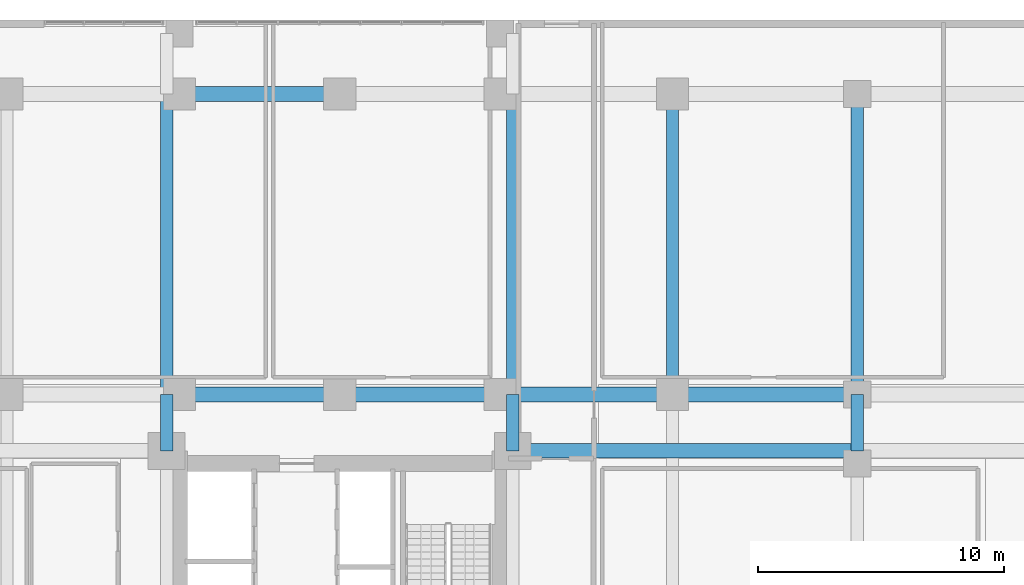
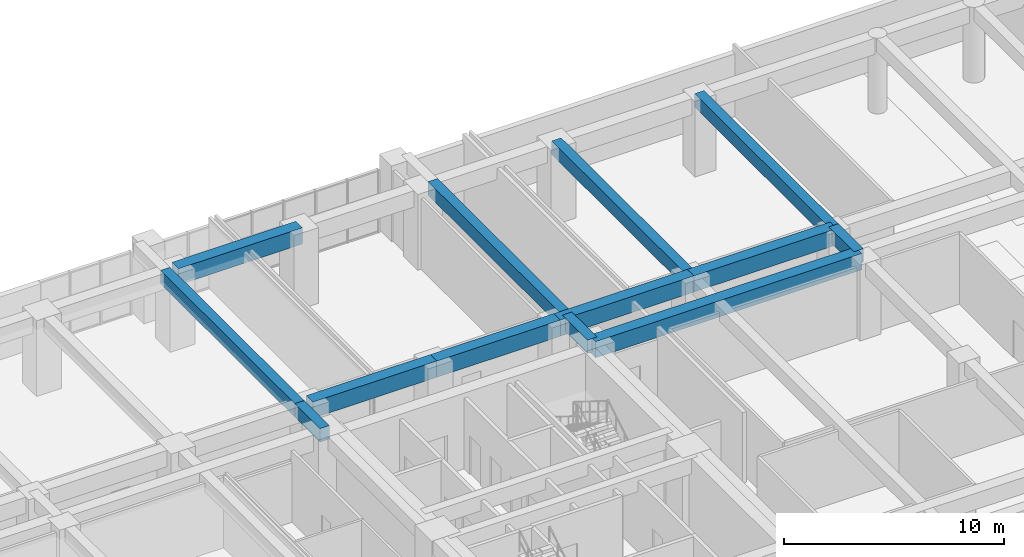
# One storey, part 9 of 24: 13 beams.
"""IFC4 building model written with IfcOpenShell, lengths in metres."""

from ifc_helpers import new_model, si_unit, direction, frame, origin, origin_2d, place, context, subcontext, project, spatial, rectangle, extrude, source, transform, mapped, material, material_profile, profile_set, type_object, element, save


model = new_model("IFC4")

# Units and contexts
model_context = context("Model", 3, precision=1e-05, world=origin(), true_north=direction((0.0, 1.0)))
body_context = subcontext(model_context, "Body", "Model", "MODEL_VIEW")
ifc_project = project(units=[si_unit("LENGTHUNIT", "METRE"), si_unit("AREAUNIT", "SQUARE_METRE"), si_unit("VOLUMEUNIT", "CUBIC_METRE"), si_unit("PLANEANGLEUNIT", "RADIAN"), si_unit("MASSUNIT", "GRAM", prefix="KILO")], contexts=[model_context])

# Site, building, storey
site_placement = place(None, origin())
site = spatial("IfcSite", under=ifc_project, at=site_placement, CompositionType="ELEMENT")
building_placement = place(site_placement, origin())
building = spatial("IfcBuilding", under=site, at=building_placement, Name="Saelheon Loggia Tower", CompositionType="ELEMENT")
storey_placement = place(building_placement, origin())
storey = spatial("IfcBuildingStorey", under=building, at=storey_placement, Name="L00", CompositionType="ELEMENT", Elevation=0.0)

# Beams
ifc_material_1 = material(Name="Concrete C50/60", Category="concrete")
ifc_material_profile_1 = material_profile(ifc_material_1, rectangle(XDim=0.60009765625, YDim=0.89990234375, at=origin_2d()), Name="RC-600x900")
ifc_profile_set_1 = profile_set([ifc_material_profile_1], Name="Concrete C50/60")
beam_type_1 = type_object("IfcBeamType", Name="Beam_MainGirder_RC600x900", PredefinedType="BEAM", material=ifc_profile_set_1)
shared_shape_1 = source(origin(), body_context, "Body", "SweptSolid", [
    extrude(rectangle(XDim=0.60009765625, YDim=0.89990234375, at=origin_2d()), origin(), (0.0, 0.0, 1.0), 7.5),
])
beam_1_placement = place(storey_placement, frame((51.5, 38.800048828125, 3.75), z_axis=(1.0, 0.0, 0.0), x_axis=(0.0, 1.0, 0.0)))
element("IfcBeam", 1, at=beam_1_placement, inside=storey, type_object=beam_type_1, Name="BM-L00-EW-38-7", PredefinedType="BEAM", context=body_context, shape_type="MappedRepresentation", body=[
    mapped(shared_shape_1, transform((0.0, 0.0, 0.0), scale=1.0)),
])
shared_shape_2 = source(origin(), body_context, "Body", "SweptSolid", [
    extrude(rectangle(XDim=0.60009765625, YDim=0.89990234375, at=origin_2d()), origin(), (0.0, 0.0, 1.0), 7.0),
])
beam_2_placement = place(storey_placement, frame((44.5, 38.800048828125, 3.75), z_axis=(1.0, 0.0, 0.0), x_axis=(0.0, 1.0, 0.0)))
element("IfcBeam", 2, at=beam_2_placement, inside=storey, type_object=beam_type_1, Name="BM-L00-EW-38-6", PredefinedType="BEAM", context=body_context, shape_type="MappedRepresentation", body=[
    mapped(shared_shape_2, transform((0.0, 0.0, 0.0), scale=1.0)),
])
shared_shape_3 = source(origin(), body_context, "Body", "SweptSolid", [
    extrude(rectangle(XDim=0.60009765625, YDim=0.89990234375, at=origin_2d()), origin(), (0.0, 0.0, 1.0), 6.5),
])
for number, where, z_axis, x_axis, name in (
    (3, (31.5, 38.800048828125, 3.75), (1.0, 0.0, 0.0), (0.0, 1.0, 0.0), "BM-L00-EW-38-4"),
    (4, (38.0, 38.800048828125, 3.75), (1.0, 0.0, 0.0), (0.0, 1.0, 0.0), "BM-L00-EW-38-5"),
    (5, (31.5, 51.0, 3.75), (1.0, 0.0, 0.0), (0.0, 1.0, 0.0), "BM-L00-EW-51-5"),
):
    element("IfcBeam", number, at=place(storey_placement, frame(where, z_axis=z_axis, x_axis=x_axis)), inside=storey, type_object=beam_type_1, Name=name, PredefinedType="BEAM", context=body_context, shape_type="MappedRepresentation", body=[
        mapped(shared_shape_3, transform((0.0, 0.0, 0.0), scale=1.0)),
    ])
shared_shape_4 = source(origin(), body_context, "Body", "SweptSolid", [
    extrude(rectangle(XDim=0.60009765625, YDim=0.89990234375, at=origin_2d()), origin(), (0.0, 0.0, 1.0), 13.97998046875),
])
beam_3_placement = place(storey_placement, frame((45.02001953125, 36.52001953125, 3.75), z_axis=(1.0, 0.0, 0.0), x_axis=(0.0, 1.0, 0.0)))
element("IfcBeam", 6, at=beam_3_placement, inside=storey, type_object=beam_type_1, Name="BM-L00-CT-36-E2", PredefinedType="BEAM", context=body_context, shape_type="MappedRepresentation", body=[
    mapped(shared_shape_4, transform((0.0, 0.0, 0.0), scale=1.0)),
])
ifc_material_2 = material(Name="Concrete C45/55", Category="concrete")
ifc_material_profile_2 = material_profile(ifc_material_2, rectangle(XDim=0.5, YDim=0.75, at=origin_2d()), Name="RC-500x750")
ifc_profile_set_2 = profile_set([ifc_material_profile_2], Name="Concrete C45/55")
beam_type_2 = type_object("IfcBeamType", Name="Beam_FloorGirder_RC500x750", PredefinedType="BEAM", material=ifc_profile_set_2)
shared_shape_5 = source(origin(), body_context, "Body", "SweptSolid", [
    extrude(rectangle(XDim=0.5, YDim=0.75, at=origin_2d()), origin(), (0.0, 0.0, 1.0), 12.199951171875),
])
for number, where, z_axis, x_axis, name in (
    (7, (30.97998046875, 38.800048828125, 3.824951171875), (0.0, 1.0, 0.0), (-1.0, 0.0, 0.0), "BM-L00-NS-30-6"),
    (8, (45.02001953125, 38.800048828125, 3.824951171875), (0.0, 1.0, 0.0), (-1.0, 0.0, 0.0), "BM-L00-NS-45-6"),
    (9, (51.5, 38.800048828125, 3.824951171875), (0.0, 1.0, 0.0), (-1.0, 0.0, 0.0), "BM-L00-NS-51-3"),
    (10, (59.0, 38.800048828125, 3.824951171875), (0.0, 1.0, 0.0), (-1.0, 0.0, 0.0), "BM-L00-NS-59-6"),
):
    element("IfcBeam", number, at=place(storey_placement, frame(where, z_axis=z_axis, x_axis=x_axis)), inside=storey, type_object=beam_type_2, Name=name, PredefinedType="BEAM", context=body_context, shape_type="MappedRepresentation", body=[
        mapped(shared_shape_5, transform((0.0, 0.0, 0.0), scale=1.0)),
    ])
shared_shape_6 = source(origin(), body_context, "Body", "SweptSolid", [
    extrude(rectangle(XDim=0.5, YDim=0.75, at=origin_2d()), origin(), (0.0, 0.0, 1.0), 2.280029296875),
])
for number, where, z_axis, x_axis, name in (
    (11, (30.97998046875, 36.52001953125, 3.824951171875), (0.0, 1.0, 0.0), (-1.0, 0.0, 0.0), "BM-L00-NS-30-5"),
    (12, (45.02001953125, 36.52001953125, 3.824951171875), (0.0, 1.0, 0.0), (-1.0, 0.0, 0.0), "BM-L00-NS-45-5"),
    (13, (59.0, 36.52001953125, 3.824951171875), (0.0, 1.0, 0.0), (-1.0, 0.0, 0.0), "BM-L00-NS-59-5"),
):
    element("IfcBeam", number, at=place(storey_placement, frame(where, z_axis=z_axis, x_axis=x_axis)), inside=storey, type_object=beam_type_2, Name=name, PredefinedType="BEAM", context=body_context, shape_type="MappedRepresentation", body=[
        mapped(shared_shape_6, transform((0.0, 0.0, 0.0), scale=1.0)),
    ])

save(model, "model.ifc")
